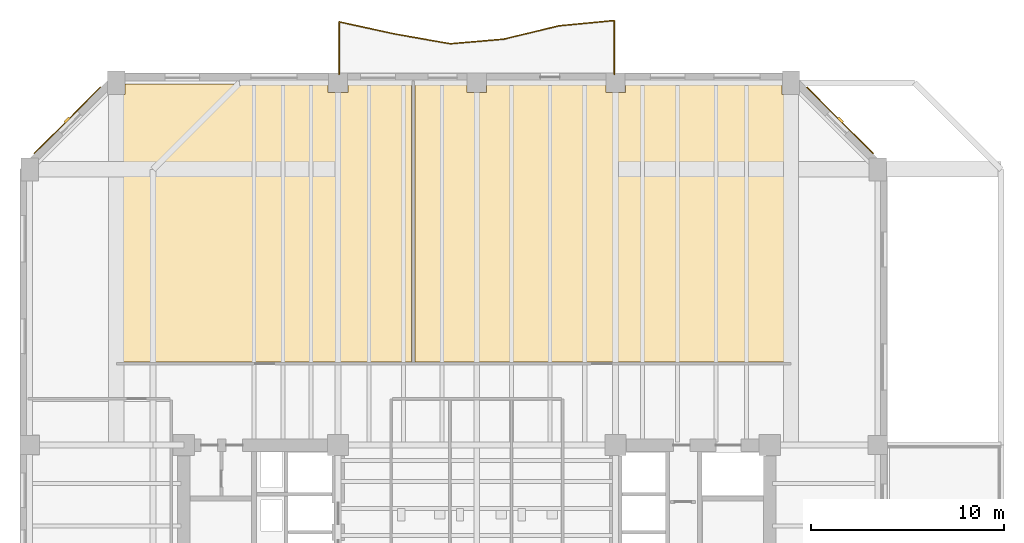
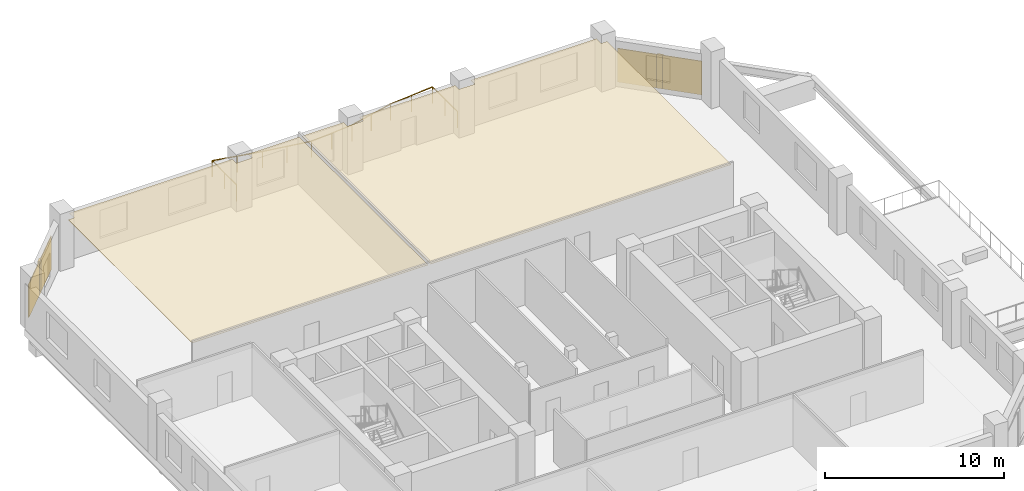
# One storey, part 10 of 11: 4 coverings, 2 shading devices, 1 railing.
"""IFC4 building model written with IfcOpenShell, lengths in metres."""

from ifc_helpers import new_model, si_unit, direction, frame, origin, origin_2d, place, context, subcontext, project, spatial, polyline, rectangle, circle, outline, extrude, material, layer, layer_set, type_object, element, save


model = new_model("IFC4")

# Units and contexts
model_context = context("Model", 3, precision=1e-05, world=origin(), true_north=direction((0.0, 1.0)))
body_context = subcontext(model_context, "Body", "Model", "MODEL_VIEW")
ifc_project = project(units=[si_unit("LENGTHUNIT", "METRE"), si_unit("AREAUNIT", "SQUARE_METRE"), si_unit("VOLUMEUNIT", "CUBIC_METRE"), si_unit("PLANEANGLEUNIT", "RADIAN"), si_unit("MASSUNIT", "GRAM", prefix="KILO")], contexts=[model_context])

# Site, building, storey
site_placement = place(None, origin())
site = spatial("IfcSite", under=ifc_project, at=site_placement, CompositionType="ELEMENT")
building_placement = place(site_placement, origin())
building = spatial("IfcBuilding", under=site, at=building_placement, Name="Kranthara Brick Stack", CompositionType="ELEMENT")
storey_placement = place(building_placement, frame((0.0, 0.0, 94.5)))
storey = spatial("IfcBuildingStorey", under=building, at=storey_placement, Name="L23", CompositionType="ELEMENT", Elevation=94.5)

# Coverings
ifc_material_1 = material(Name="Perforated mineral-fibre acoustic ceiling tile", Category="other")
ifc_layer_1 = layer(ifc_material_1, 0.02490234375)
ifc_layer_set_1 = layer_set([ifc_layer_1], Name="Perforated mineral-fibre acoustic ceiling tile")
covering_type_1 = type_object("IfcCoveringType", Name="COV-CEIL-ACOUSTIC", PredefinedType="CEILING", material=ifc_layer_set_1)
covering_1_placement = place(storey_placement, frame((0.0, 0.0, 3.330078125)))
element("IfcCovering", 1, at=covering_1_placement, inside=storey, type_object=covering_type_1, Name="L23 L23 Open Plan Workspace 1 Acoustic Ceiling", PredefinedType="CEILING", context=body_context, shape_type="SweptSolid", body=[
    extrude(outline(polyline([(24.6201171875, 37.919921875), (9.3798828125, 37.919921875), (9.3798828125, 51.7900390625), (9.760009765625, 51.7900390625), (9.760009765625, 52.330078125), (20.2900390625, 52.330078125), (20.2900390625, 51.889892578125), (21.31005859375, 51.889892578125), (21.31005859375, 52.330078125), (24.6201171875, 52.330078125), (24.6201171875, 37.919921875)])), origin(), (0.0, 0.0, 1.0), 0.02490234375),
])
covering_2_placement = place(storey_placement, frame((0.0, 0.0, 3.330078125)))
element("IfcCovering", 2, at=covering_2_placement, inside=storey, type_object=covering_type_1, Name="L23 L23 Staff Pantry 2 Acoustic Ceiling", PredefinedType="CEILING", context=body_context, shape_type="SweptSolid", body=[
    extrude(outline(polyline([(24.780029296875, 37.919921875), (24.780029296875, 52.330078125), (27.489990234375, 52.330078125), (27.489990234375, 51.889892578125), (28.510009765625, 51.889892578125), (28.510009765625, 52.330078125), (34.68994140625, 52.330078125), (34.68994140625, 51.889892578125), (35.7099609375, 51.889892578125), (35.7099609375, 52.330078125), (43.840087890625, 52.330078125), (43.840087890625, 51.7900390625), (44.219970703125, 51.7900390625), (44.219970703125, 37.919921875), (24.780029296875, 37.919921875)])), origin(), (0.0, 0.0, 1.0), 0.02490234375),
])
ifc_material_2 = material(Name="Warm buff kiln-fired brick slip rainscreen", Category="masonry")
ifc_layer_2 = layer(ifc_material_2, 0.044921875)
ifc_layer_set_2 = layer_set([ifc_layer_2], Name="Warm buff kiln-fired brick slip rainscreen")
covering_type_2 = type_object("IfcCoveringType", Name="COV-CLAD-BRICK", PredefinedType="CLADDING", material=ifc_layer_set_2)
for number, where, z_axis, x_axis, name in (
    (3, (6.756591796875, 50.443603515625, 0.0498046875), (0.0, 0.0, 1.0), (0.707106781187, 0.707106781187, 0.0), "L23 Chamfer Brick Rainscreen Cladding NW"),
    (4, (46.843505859375, 50.443603515625, 0.0498046875), (0.0, 0.0, 1.0), (0.707106781187, -0.707106781187, 0.0), "L23 Chamfer Brick Rainscreen Cladding NE"),
):
    element("IfcCovering", number, at=place(storey_placement, frame(where, z_axis=z_axis, x_axis=x_axis)), inside=storey, type_object=covering_type_2, Name=name, PredefinedType="CLADDING", context=body_context, shape_type="SweptSolid", body=[
        extrude(rectangle(XDim=4.876953125, YDim=0.044921875, at=origin_2d()), origin(), (0.0, 0.0, 1.0), 2.300048828125),
    ])

# Railing
ifc_material_3 = material(Name="Bronze anodised aluminium and laminated glass balustrade", Category="aluminium")
railing_type = type_object("IfcRailingType", Name="RL-BALC-1120", PredefinedType="BALUSTRADE", material=ifc_material_3)
railing_placement = place(storey_placement, frame((20.860107421875, 52.840087890625, 0.0)))
element("IfcRailing", 5, at=railing_placement, inside=storey, type_object=railing_type, Name="L23 North Rippling Balcony Balustrade", PredefinedType="BALUSTRADE", context=body_context, shape_type="SweptSolid", body=[
    extrude(circle(Radius=0.02392578125, at=origin_2d()), frame((0.0, 0.0, 1.09619140625), z_axis=(-0.000269493343, 0.999999963687, 0.0), x_axis=(-0.999999963687, -0.000269493343, 0.0)), (0.0, 0.0, 1.0), 2.7177734375),
    extrude(circle(Radius=0.02392578125, at=origin_2d()), frame((-0.000732421875, 2.7177734375, 1.09619140625), z_axis=(0.977086582249, -0.212842220409, 0.0), x_axis=(0.212842220409, 0.977086582249, 0.0)), (0.0, 0.0, 1.0), 2.947998046875),
    extrude(circle(Radius=0.02392578125, at=origin_2d()), frame((2.879638671875, 2.09033203125, 1.09619140625), z_axis=(0.984823872038, -0.173556737303, 0.0), x_axis=(0.173556737303, 0.984823872038, 0.0)), (0.0, 0.0, 1.0), 2.924560546875),
    extrude(circle(Radius=0.02392578125, at=origin_2d()), frame((5.759765625, 1.582763671875, 1.09619140625), z_axis=(0.996377222681, 0.085043695373, 0.0), x_axis=(-0.085043695373, 0.996377222681, 0.0)), (0.0, 0.0, 1.0), 2.770263671875),
    extrude(circle(Radius=0.02392578125, at=origin_2d()), frame((8.52001953125, 1.818359375, 1.09619140625), z_axis=(0.972162501707, 0.234307640242, 0.0), x_axis=(-0.234307640242, 0.972162501707, 0.0)), (0.0, 0.0, 1.0), 2.96337890625),
    extrude(circle(Radius=0.02392578125, at=origin_2d()), frame((11.40087890625, 2.5126953125, 1.09619140625), z_axis=(0.995418147335, 0.095617529541, 0.0), x_axis=(-0.095617529541, 0.995418147335, 0.0)), (0.0, 0.0, 1.0), 2.892822265625),
    extrude(circle(Radius=0.02392578125, at=origin_2d()), frame((14.280517578125, 2.789306640625, 1.09619140625), z_axis=(-0.000262582048, -0.999999965525, 0.0), x_axis=(0.999999965525, -0.000262582048, 0.0)), (0.0, 0.0, 1.0), 2.789306640625),
    extrude(circle(Radius=0.02099609375, at=origin_2d()), origin(), (0.0, 0.0, 1.0), 1.072021484375),
    extrude(circle(Radius=0.02099609375, at=origin_2d()), frame((-0.00048828125, 1.35888671875, 0.0)), (0.0, 0.0, 1.0), 1.072021484375),
    extrude(circle(Radius=0.02099609375, at=origin_2d()), frame((-0.000732421875, 2.7177734375, 0.0)), (0.0, 0.0, 1.0), 1.072021484375),
    extrude(circle(Radius=0.02099609375, at=origin_2d()), frame((1.439453125, 2.404052734375, 0.0)), (0.0, 0.0, 1.0), 1.072021484375),
    extrude(circle(Radius=0.02099609375, at=origin_2d()), frame((2.879638671875, 2.09033203125, 0.0)), (0.0, 0.0, 1.0), 1.072021484375),
    extrude(circle(Radius=0.02099609375, at=origin_2d()), frame((4.31982421875, 1.83642578125, 0.0)), (0.0, 0.0, 1.0), 1.072021484375),
    extrude(circle(Radius=0.02099609375, at=origin_2d()), frame((5.759765625, 1.582763671875, 0.0)), (0.0, 0.0, 1.0), 1.072021484375),
    extrude(circle(Radius=0.02099609375, at=origin_2d()), frame((7.139892578125, 1.70068359375, 0.0)), (0.0, 0.0, 1.0), 1.072021484375),
    extrude(circle(Radius=0.02099609375, at=origin_2d()), frame((8.52001953125, 1.818359375, 0.0)), (0.0, 0.0, 1.0), 1.072021484375),
    extrude(circle(Radius=0.02099609375, at=origin_2d()), frame((9.96044921875, 2.16552734375, 0.0)), (0.0, 0.0, 1.0), 1.072021484375),
    extrude(circle(Radius=0.02099609375, at=origin_2d()), frame((11.40087890625, 2.5126953125, 0.0)), (0.0, 0.0, 1.0), 1.072021484375),
    extrude(circle(Radius=0.02099609375, at=origin_2d()), frame((12.8408203125, 2.65087890625, 0.0)), (0.0, 0.0, 1.0), 1.072021484375),
    extrude(circle(Radius=0.02099609375, at=origin_2d()), frame((14.280517578125, 2.789306640625, 0.0)), (0.0, 0.0, 1.0), 1.072021484375),
    extrude(circle(Radius=0.02099609375, at=origin_2d()), frame((14.2802734375, 1.39453125, 0.0)), (0.0, 0.0, 1.0), 1.072021484375),
    extrude(circle(Radius=0.02099609375, at=origin_2d()), frame((14.27978515625, 0.0, 0.0)), (0.0, 0.0, 1.0), 1.072021484375),
])

# Shading devices
ifc_material_4 = material(Name="Kiln-fired terracotta aerodynamic wind fin", Category="masonry")
shading_device_type = type_object("IfcShadingDeviceType", Name="SHD-BAFFLE-CORNER", PredefinedType="SHUTTER", material=ifc_material_4)
for number, where, z_axis, x_axis, name in (
    (6, (6.7353515625, 50.464599609375, 0.0498046875), (0.0, 0.0, 1.0), (0.707106781187, 0.707106781187, 0.0), "L23 Chamfer Wind-Baffle Fin NW"),
    (7, (46.86474609375, 50.464599609375, 0.0498046875), (0.0, 0.0, 1.0), (0.707106781187, -0.707106781187, 0.0), "L23 Chamfer Wind-Baffle Fin NE"),
):
    element("IfcShadingDevice", number, at=place(storey_placement, frame(where, z_axis=z_axis, x_axis=x_axis)), inside=storey, type_object=shading_device_type, Name=name, PredefinedType="SHUTTER", context=body_context, shape_type="SweptSolid", body=[
        extrude(rectangle(XDim=0.35009765625, YDim=0.1201171875, at=origin_2d()), origin(), (0.0, 0.0, 1.0), 2.300048828125),
    ])

save(model, "model.ifc")
